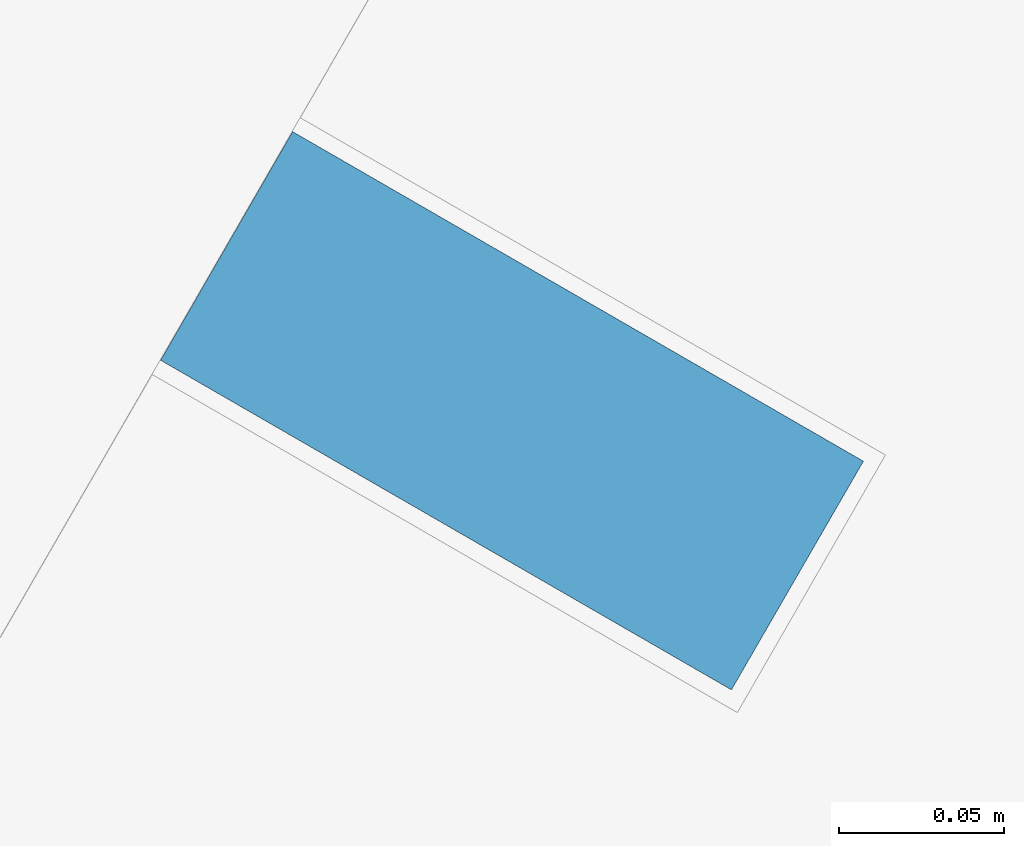
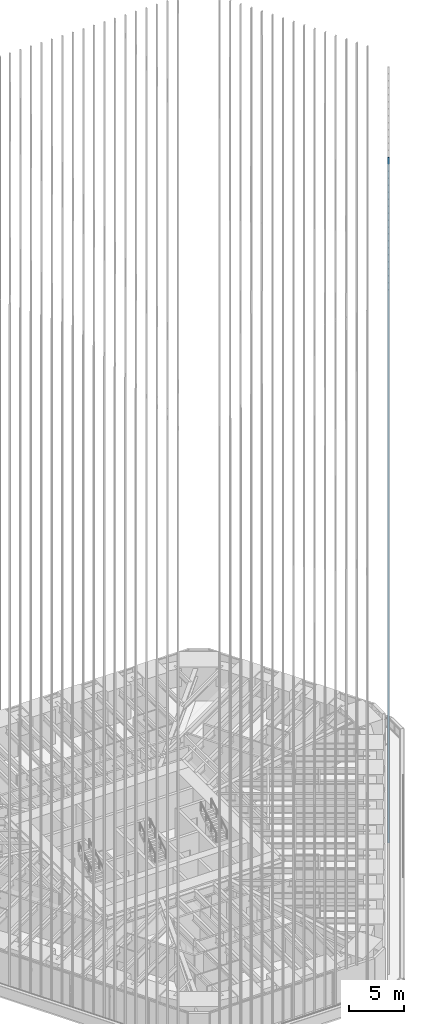
# One storey, part 101 of 238: 1 member, 1 element without a shape of its own.
"""IFC4 building model written with IfcOpenShell, lengths in metres."""

import ifcopenshell
import ifcopenshell.guid

model = None  # the IFC model being written
_history = None  # IfcOwnerHistory: only IFC2X3 demands one
_inside = {}  # id of a spatial element -> (the spatial element, [elements in it])
_under = {}  # id of a project, library or spatial element -> (it, [spatial elements below it])
_declared = {}  # id of a project -> (the project, [libraries it declares])
_typed = {}  # id of a type object -> (the type object, [elements of that type])
_made_of = {}  # id of a material, layer set ... -> (it, [elements and type objects made of it])


def new_model(schema):
    """Start an empty IFC model of exactly this schema.

    Asked for "IFC4X3", IfcOpenShell would pick the latest addendum, in which some entities
    have other attributes; the version numbers below select the first issue.
    IFC2X3 requires an IfcOwnerHistory on every rooted entity: one is made here for all.
    """
    global model, _history
    if schema == "IFC4X3":
        model = ifcopenshell.file(schema_version=(4, 3, 0, 0))
    else:
        model = ifcopenshell.file(schema=schema)
    _inside.clear()
    _under.clear()
    _declared.clear()
    _typed.clear()
    _made_of.clear()
    _history = None
    if model.schema == "IFC2X3":
        org = make("IfcOrganization", Name="unknown")
        user = make(
            "IfcPersonAndOrganization",
            ThePerson=make("IfcPerson", FamilyName="unknown"),
            TheOrganization=org,
        )
        app = make(
            "IfcApplication",
            ApplicationDeveloper=org,
            Version="unknown",
            ApplicationFullName="unknown",
            ApplicationIdentifier="unknown",
        )
        _history = make(
            "IfcOwnerHistory",
            OwningUser=user,
            OwningApplication=app,
            ChangeAction="ADDED",
            CreationDate=0,
        )
    return model


def make(cls, **values):
    """One entity of the class cls with the attributes given. An attribute that is None is left unset."""
    return model.create_entity(
        cls, **{name: value for name, value in values.items() if value is not None}
    )


def rooted(cls, **values):
    """An entity with a GlobalId (a new one), such as an element, a storey or a relation."""
    return make(cls, GlobalId=ifcopenshell.guid.new(), OwnerHistory=_history, **values)


def si_unit(unit_type, name, prefix=None):
    """IfcSIUnit, for example si_unit("LENGTHUNIT", "METRE", prefix="MILLI")."""
    return make("IfcSIUnit", UnitType=unit_type, Prefix=prefix, Name=name)


def assignment(units):
    """IfcUnitAssignment: the units of a project."""
    return None if units is None else make("IfcUnitAssignment", Units=units)


def point(xyz):
    """IfcCartesianPoint."""
    return None if xyz is None else make("IfcCartesianPoint", Coordinates=xyz)


def direction(xyz):
    """IfcDirection."""
    return None if xyz is None else make("IfcDirection", DirectionRatios=xyz)


def frame(location, z_axis=None, x_axis=None):
    """IfcAxis2Placement3D, a coordinate frame: its origin and axes. An axis left out is left unset."""
    return make(
        "IfcAxis2Placement3D",
        Location=point(location),
        Axis=direction(z_axis),
        RefDirection=direction(x_axis),
    )


def frame_2d(location, x_axis=None):
    """IfcAxis2Placement2D, a coordinate frame in the plane: its origin and x axis."""
    return make(
        "IfcAxis2Placement2D", Location=point(location), RefDirection=direction(x_axis)
    )


def origin():
    """The frame at (0, 0, 0) with its axes left unset."""
    return frame((0.0, 0.0, 0.0))


def origin_2d():
    """The frame at (0, 0) in the plane with its x axis left unset."""
    return frame_2d((0.0, 0.0))


def place(relative_to, where):
    """IfcLocalPlacement: puts the frame where relative to a parent placement (None: the world)."""
    return make(
        "IfcLocalPlacement", PlacementRelTo=relative_to, RelativePlacement=where
    )


def context(
    kind, dimensions, precision=None, world=None, true_north=None, identifier=None
):
    """IfcGeometricRepresentationContext, for example the 3D "Model" context."""
    return make(
        "IfcGeometricRepresentationContext",
        ContextIdentifier=identifier,
        ContextType=kind,
        CoordinateSpaceDimension=dimensions,
        Precision=precision,
        WorldCoordinateSystem=world,
        TrueNorth=true_north,
    )


def subcontext(parent, identifier, kind, view, scale=None):
    """IfcGeometricRepresentationSubContext, for example "Body" below "Model"."""
    return make(
        "IfcGeometricRepresentationSubContext",
        ContextIdentifier=identifier,
        ContextType=kind,
        ParentContext=parent,
        TargetScale=scale,
        TargetView=view,
    )


def project(units=None, contexts=None):
    """IfcProject with its units and contexts."""
    return rooted(
        "IfcProject",
        Name="project",
        RepresentationContexts=contexts,
        UnitsInContext=assignment(units),
    )


def spatial(cls, under=None, at=None, **own):
    """A site, building, storey or space (cls), placed at a placement, below another one or the project."""
    s = rooted(cls, ObjectPlacement=at, **own)
    if under is not None:
        _under.setdefault(under.id(), (under, []))[1].append(s)
    return s


def profile(cls, at=None, kind="AREA", **sizes):
    """A parametric profile (cls). Its sizes go by their IFC names, for example OverallWidth=200.0."""
    return make(cls, ProfileType=kind, Position=at, **sizes)


def rectangle(**sizes):
    """IfcRectangleProfileDef."""
    return profile("IfcRectangleProfileDef", **sizes)


def extrude(swept, where, along, depth):
    """IfcExtrudedAreaSolid: the profile swept, set in the frame where, extruded along a direction by depth."""
    return make(
        "IfcExtrudedAreaSolid",
        SweptArea=swept,
        Position=where,
        ExtrudedDirection=direction(along),
        Depth=depth,
    )


def shape(context_of_items, identifier, shape_type, items):
    """IfcShapeRepresentation: the items that make up one representation, for example the "Body"."""
    return make(
        "IfcShapeRepresentation",
        ContextOfItems=context_of_items,
        RepresentationIdentifier=identifier,
        RepresentationType=shape_type,
        Items=items,
    )


def material(Name=None, Category=None):
    """IfcMaterial."""
    return make("IfcMaterial", Name=Name, Category=Category)


def material_profile(
    of_material, cross_section, Name=None, Category=None, Priority=None
):
    """IfcMaterialProfile: a cross section and its material."""
    return make(
        "IfcMaterialProfile",
        Name=Name,
        Material=of_material,
        Profile=cross_section,
        Priority=Priority,
        Category=Category,
    )


def profile_set(profiles, Name=None, composite=None):
    """IfcMaterialProfileSet."""
    return make(
        "IfcMaterialProfileSet",
        Name=Name,
        MaterialProfiles=profiles,
        CompositeProfile=composite,
    )


def made_of(thing, what):
    """Note that an element or type object is made of a material, layer set ...; save() writes the relation."""
    if what is not None:
        _made_of.setdefault(what.id(), (what, []))[1].append(thing)
    return thing


def type_object(cls, material=None, **own):
    """A type object (cls), such as IfcWallType, which elements share."""
    return made_of(rooted(cls, **own), material)


def element(
    cls,
    number,
    at=None,
    inside=None,
    cuts=None,
    type_object=None,
    material=None,
    context=None,
    identifier="Body",
    shape_type=None,
    held_by="IfcProductDefinitionShape",
    body=None,
    shapes=None,
    **own,
):
    """One element of the class cls, such as IfcWall. Its Tag is "e" and its number.

    at: its placement. inside: the storey or other place that contains it. cuts: it is an
    opening in that element (IfcRelVoidsElement). A single representation is given by context,
    identifier, shape_type and body (its items); several are given by shapes. held_by: the class
    of the entity that holds the representations. save() writes the other relations.
    """
    e = rooted(cls, Tag="e%d" % number, ObjectPlacement=at, **own)
    if body is not None:
        shapes = [shape(context, identifier, shape_type, body)]
    if shapes is not None:
        e.Representation = make(held_by, Representations=shapes)
    if inside is not None:
        _inside.setdefault(inside.id(), (inside, []))[1].append(e)
    if cuts is not None:
        rooted(
            "IfcRelVoidsElement", RelatingBuildingElement=cuts, RelatedOpeningElement=e
        )
    if type_object is not None:
        _typed.setdefault(type_object.id(), (type_object, []))[1].append(e)
    return made_of(e, material)


def aggregate(whole, parts):
    """IfcRelAggregates: a whole, such as a stair, and the parts it consists of."""
    return rooted("IfcRelAggregates", RelatingObject=whole, RelatedObjects=parts)


def save(model, path):
    """Write the relations noted so far, then the file.

    IfcRelAggregates (storeys below a building ...), IfcRelContainedInSpatialStructure (elements
    in a storey), IfcRelDefinesByType, IfcRelAssociatesMaterial and IfcRelDeclares: one each for
    every whole, place, type object, material and project.
    """
    for whole, parts in _under.values():
        aggregate(whole, parts)
    for where, things in _inside.values():
        rooted(
            "IfcRelContainedInSpatialStructure",
            RelatedElements=things,
            RelatingStructure=where,
        )
    for kind, things in _typed.values():
        rooted("IfcRelDefinesByType", RelatedObjects=things, RelatingType=kind)
    for what, things in _made_of.values():
        rooted("IfcRelAssociatesMaterial", RelatedObjects=things, RelatingMaterial=what)
    for by, libraries in _declared.values():
        rooted("IfcRelDeclares", RelatingContext=by, RelatedDefinitions=libraries)
    model.write(path)


model = new_model("IFC4")

# Units and contexts
model_context = context("Model", 3, precision=1e-05, world=origin(), true_north=direction((0.0, 1.0)))
body_context = subcontext(model_context, "Body", "Model", "MODEL_VIEW")
ifc_project = project(units=[si_unit("LENGTHUNIT", "METRE"), si_unit("AREAUNIT", "SQUARE_METRE"), si_unit("VOLUMEUNIT", "CUBIC_METRE"), si_unit("PLANEANGLEUNIT", "RADIAN"), si_unit("MASSUNIT", "GRAM", prefix="KILO")], contexts=[model_context])

# Site, building, storey
site_placement = place(None, origin())
site = spatial("IfcSite", under=ifc_project, at=site_placement, CompositionType="ELEMENT")
building_placement = place(site_placement, origin())
building = spatial("IfcBuilding", under=site, at=building_placement, Name="Sandreach Pilgrim Tower", CompositionType="ELEMENT")
storey_placement = place(building_placement, frame((0.0, 0.0, 96.800048828125)))
storey = spatial("IfcBuildingStorey", under=building, at=storey_placement, Name="L23", CompositionType="ELEMENT", Elevation=96.800048828125)

# Curtain wall, member
ifc_material_1 = material(Name="Aluminium framed curtain wall", Category="aluminium")
curtain_wall_type = type_object("IfcCurtainWallType", Name="Hotel tower curtain wall", PredefinedType="NOTDEFINED", material=ifc_material_1)
curtain_wall_placement = place(storey_placement, origin())
curtain_wall = element("IfcCurtainWall", 1, at=curtain_wall_placement, inside=storey, type_object=curtain_wall_type, Name="CW-2 L23 SE", PredefinedType="NOTDEFINED")
ifc_material_2 = material(Name="Extruded terracotta on aluminium core", Category="masonry")
ifc_material_profile = material_profile(ifc_material_2, rectangle(XDim=0.080078125, YDim=0.199951171875, at=origin_2d()), Name="TBE 80X200")
ifc_profile_set = profile_set([ifc_material_profile], Name="Extruded terracotta on aluminium core")
member_type = type_object("IfcMemberType", Name="Terracotta baguette east", PredefinedType="USERDEFINED", material=ifc_profile_set)
member_placement = place(storey_placement, frame((21.477783203125, -8.587158203125, 0.0), z_axis=(0.0, 0.0, 1.0), x_axis=(-0.5, -0.866025403784, 0.0)))
member = element("IfcMember", 2, at=member_placement, type_object=member_type, Name="Baguette Z2 SE14", ObjectType="BAGUETTE", PredefinedType="USERDEFINED", context=body_context, shape_type="SweptSolid", body=[
    extrude(rectangle(XDim=0.080078125, YDim=0.199951171875, at=origin_2d()), origin(), (0.0, 0.0, 1.0), 75.83984375),
])
aggregate(curtain_wall, [member])

save(model, "model.ifc")
